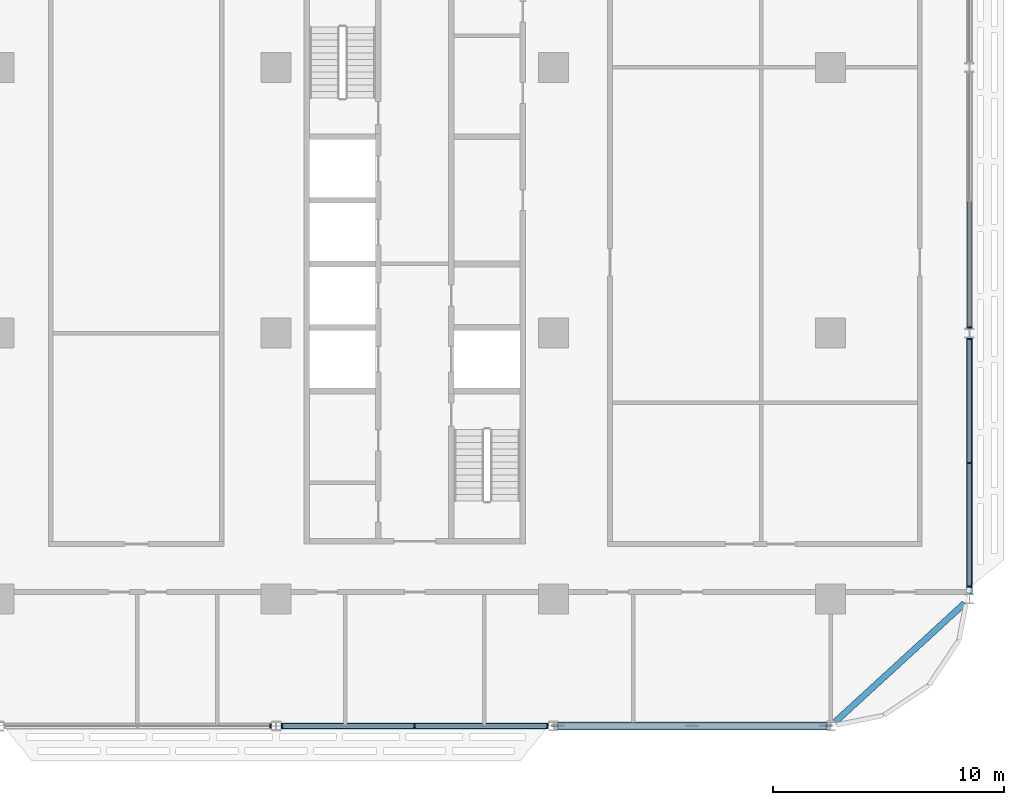
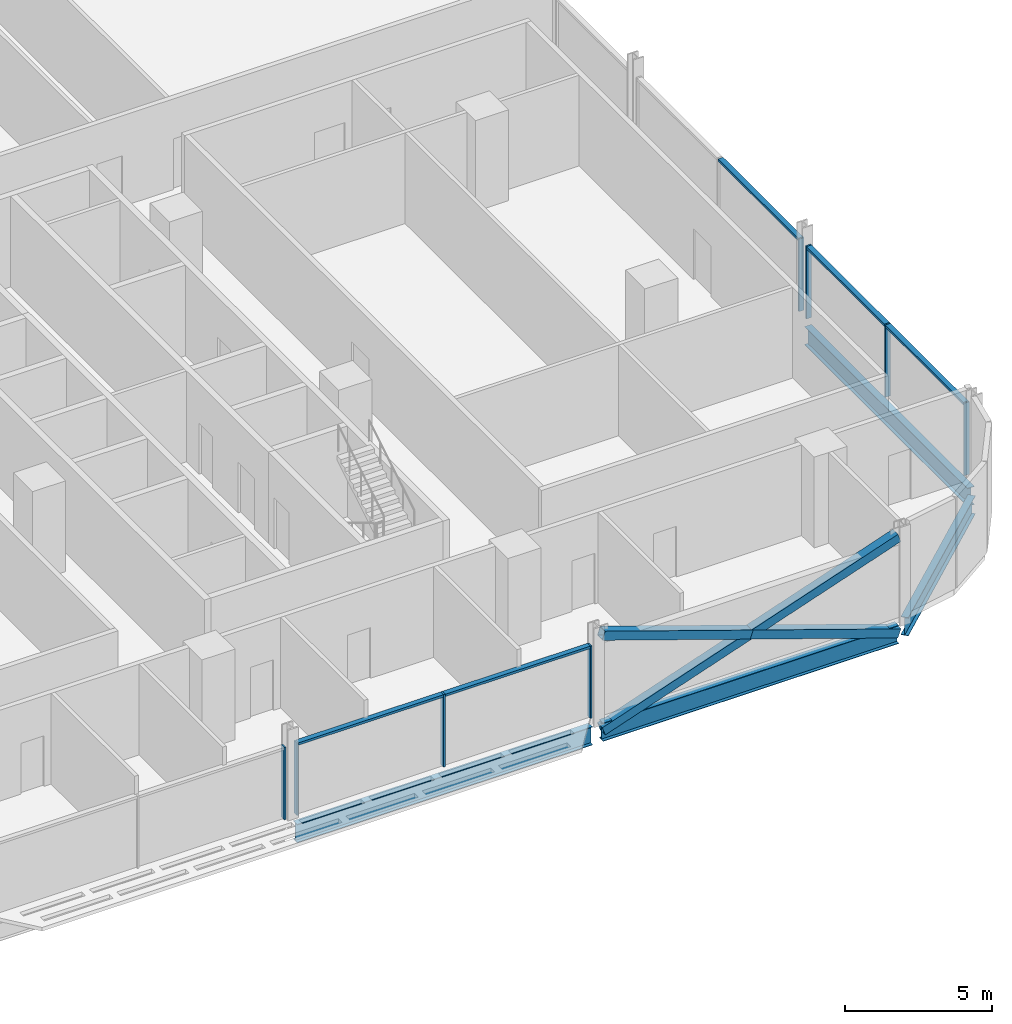
# One storey, part 8 of 29: 16 members, 4 beams, 4 elements without a shape of their own.
"""IFC4 building model written with IfcOpenShell, lengths in metres."""

import ifcopenshell
import ifcopenshell.guid

model = None  # the IFC model being written
_history = None  # IfcOwnerHistory: only IFC2X3 demands one
_inside = {}  # id of a spatial element -> (the spatial element, [elements in it])
_under = {}  # id of a project, library or spatial element -> (it, [spatial elements below it])
_declared = {}  # id of a project -> (the project, [libraries it declares])
_typed = {}  # id of a type object -> (the type object, [elements of that type])
_made_of = {}  # id of a material, layer set ... -> (it, [elements and type objects made of it])


def new_model(schema):
    """Start an empty IFC model of exactly this schema.

    Asked for "IFC4X3", IfcOpenShell would pick the latest addendum, in which some entities
    have other attributes; the version numbers below select the first issue.
    IFC2X3 requires an IfcOwnerHistory on every rooted entity: one is made here for all.
    """
    global model, _history
    if schema == "IFC4X3":
        model = ifcopenshell.file(schema_version=(4, 3, 0, 0))
    else:
        model = ifcopenshell.file(schema=schema)
    _inside.clear()
    _under.clear()
    _declared.clear()
    _typed.clear()
    _made_of.clear()
    _history = None
    if model.schema == "IFC2X3":
        org = make("IfcOrganization", Name="unknown")
        user = make(
            "IfcPersonAndOrganization",
            ThePerson=make("IfcPerson", FamilyName="unknown"),
            TheOrganization=org,
        )
        app = make(
            "IfcApplication",
            ApplicationDeveloper=org,
            Version="unknown",
            ApplicationFullName="unknown",
            ApplicationIdentifier="unknown",
        )
        _history = make(
            "IfcOwnerHistory",
            OwningUser=user,
            OwningApplication=app,
            ChangeAction="ADDED",
            CreationDate=0,
        )
    return model


def make(cls, **values):
    """One entity of the class cls with the attributes given. An attribute that is None is left unset."""
    return model.create_entity(
        cls, **{name: value for name, value in values.items() if value is not None}
    )


def rooted(cls, **values):
    """An entity with a GlobalId (a new one), such as an element, a storey or a relation."""
    return make(cls, GlobalId=ifcopenshell.guid.new(), OwnerHistory=_history, **values)


def si_unit(unit_type, name, prefix=None):
    """IfcSIUnit, for example si_unit("LENGTHUNIT", "METRE", prefix="MILLI")."""
    return make("IfcSIUnit", UnitType=unit_type, Prefix=prefix, Name=name)


def assignment(units):
    """IfcUnitAssignment: the units of a project."""
    return None if units is None else make("IfcUnitAssignment", Units=units)


def point(xyz):
    """IfcCartesianPoint."""
    return None if xyz is None else make("IfcCartesianPoint", Coordinates=xyz)


def direction(xyz):
    """IfcDirection."""
    return None if xyz is None else make("IfcDirection", DirectionRatios=xyz)


def frame(location, z_axis=None, x_axis=None):
    """IfcAxis2Placement3D, a coordinate frame: its origin and axes. An axis left out is left unset."""
    return make(
        "IfcAxis2Placement3D",
        Location=point(location),
        Axis=direction(z_axis),
        RefDirection=direction(x_axis),
    )


def frame_2d(location, x_axis=None):
    """IfcAxis2Placement2D, a coordinate frame in the plane: its origin and x axis."""
    return make(
        "IfcAxis2Placement2D", Location=point(location), RefDirection=direction(x_axis)
    )


def origin():
    """The frame at (0, 0, 0) with its axes left unset."""
    return frame((0.0, 0.0, 0.0))


def origin_2d():
    """The frame at (0, 0) in the plane with its x axis left unset."""
    return frame_2d((0.0, 0.0))


def place(relative_to, where):
    """IfcLocalPlacement: puts the frame where relative to a parent placement (None: the world)."""
    return make(
        "IfcLocalPlacement", PlacementRelTo=relative_to, RelativePlacement=where
    )


def context(
    kind, dimensions, precision=None, world=None, true_north=None, identifier=None
):
    """IfcGeometricRepresentationContext, for example the 3D "Model" context."""
    return make(
        "IfcGeometricRepresentationContext",
        ContextIdentifier=identifier,
        ContextType=kind,
        CoordinateSpaceDimension=dimensions,
        Precision=precision,
        WorldCoordinateSystem=world,
        TrueNorth=true_north,
    )


def subcontext(parent, identifier, kind, view, scale=None):
    """IfcGeometricRepresentationSubContext, for example "Body" below "Model"."""
    return make(
        "IfcGeometricRepresentationSubContext",
        ContextIdentifier=identifier,
        ContextType=kind,
        ParentContext=parent,
        TargetScale=scale,
        TargetView=view,
    )


def project(units=None, contexts=None):
    """IfcProject with its units and contexts."""
    return rooted(
        "IfcProject",
        Name="project",
        RepresentationContexts=contexts,
        UnitsInContext=assignment(units),
    )


def spatial(cls, under=None, at=None, **own):
    """A site, building, storey or space (cls), placed at a placement, below another one or the project."""
    s = rooted(cls, ObjectPlacement=at, **own)
    if under is not None:
        _under.setdefault(under.id(), (under, []))[1].append(s)
    return s


def profile(cls, at=None, kind="AREA", **sizes):
    """A parametric profile (cls). Its sizes go by their IFC names, for example OverallWidth=200.0."""
    return make(cls, ProfileType=kind, Position=at, **sizes)


def rectangle(**sizes):
    """IfcRectangleProfileDef."""
    return profile("IfcRectangleProfileDef", **sizes)


def hollow_rectangle(**sizes):
    """IfcRectangleHollowProfileDef."""
    return profile("IfcRectangleHollowProfileDef", **sizes)


def i_section(**sizes):
    """IfcIShapeProfileDef."""
    return profile("IfcIShapeProfileDef", **sizes)


def extrude(swept, where, along, depth):
    """IfcExtrudedAreaSolid: the profile swept, set in the frame where, extruded along a direction by depth."""
    return make(
        "IfcExtrudedAreaSolid",
        SweptArea=swept,
        Position=where,
        ExtrudedDirection=direction(along),
        Depth=depth,
    )


def shape(context_of_items, identifier, shape_type, items):
    """IfcShapeRepresentation: the items that make up one representation, for example the "Body"."""
    return make(
        "IfcShapeRepresentation",
        ContextOfItems=context_of_items,
        RepresentationIdentifier=identifier,
        RepresentationType=shape_type,
        Items=items,
    )


def material(Name=None, Category=None):
    """IfcMaterial."""
    return make("IfcMaterial", Name=Name, Category=Category)


def material_profile(
    of_material, cross_section, Name=None, Category=None, Priority=None
):
    """IfcMaterialProfile: a cross section and its material."""
    return make(
        "IfcMaterialProfile",
        Name=Name,
        Material=of_material,
        Profile=cross_section,
        Priority=Priority,
        Category=Category,
    )


def profile_set(profiles, Name=None, composite=None):
    """IfcMaterialProfileSet."""
    return make(
        "IfcMaterialProfileSet",
        Name=Name,
        MaterialProfiles=profiles,
        CompositeProfile=composite,
    )


def made_of(thing, what):
    """Note that an element or type object is made of a material, layer set ...; save() writes the relation."""
    if what is not None:
        _made_of.setdefault(what.id(), (what, []))[1].append(thing)
    return thing


def type_object(cls, material=None, **own):
    """A type object (cls), such as IfcWallType, which elements share."""
    return made_of(rooted(cls, **own), material)


def element(
    cls,
    number,
    at=None,
    inside=None,
    cuts=None,
    type_object=None,
    material=None,
    context=None,
    identifier="Body",
    shape_type=None,
    held_by="IfcProductDefinitionShape",
    body=None,
    shapes=None,
    **own,
):
    """One element of the class cls, such as IfcWall. Its Tag is "e" and its number.

    at: its placement. inside: the storey or other place that contains it. cuts: it is an
    opening in that element (IfcRelVoidsElement). A single representation is given by context,
    identifier, shape_type and body (its items); several are given by shapes. held_by: the class
    of the entity that holds the representations. save() writes the other relations.
    """
    e = rooted(cls, Tag="e%d" % number, ObjectPlacement=at, **own)
    if body is not None:
        shapes = [shape(context, identifier, shape_type, body)]
    if shapes is not None:
        e.Representation = make(held_by, Representations=shapes)
    if inside is not None:
        _inside.setdefault(inside.id(), (inside, []))[1].append(e)
    if cuts is not None:
        rooted(
            "IfcRelVoidsElement", RelatingBuildingElement=cuts, RelatedOpeningElement=e
        )
    if type_object is not None:
        _typed.setdefault(type_object.id(), (type_object, []))[1].append(e)
    return made_of(e, material)


def aggregate(whole, parts):
    """IfcRelAggregates: a whole, such as a stair, and the parts it consists of."""
    return rooted("IfcRelAggregates", RelatingObject=whole, RelatedObjects=parts)


def save(model, path):
    """Write the relations noted so far, then the file.

    IfcRelAggregates (storeys below a building ...), IfcRelContainedInSpatialStructure (elements
    in a storey), IfcRelDefinesByType, IfcRelAssociatesMaterial and IfcRelDeclares: one each for
    every whole, place, type object, material and project.
    """
    for whole, parts in _under.values():
        aggregate(whole, parts)
    for where, things in _inside.values():
        rooted(
            "IfcRelContainedInSpatialStructure",
            RelatedElements=things,
            RelatingStructure=where,
        )
    for kind, things in _typed.values():
        rooted("IfcRelDefinesByType", RelatedObjects=things, RelatingType=kind)
    for what, things in _made_of.values():
        rooted("IfcRelAssociatesMaterial", RelatedObjects=things, RelatingMaterial=what)
    for by, libraries in _declared.values():
        rooted("IfcRelDeclares", RelatingContext=by, RelatedDefinitions=libraries)
    model.write(path)


model = new_model("IFC4")

# Units and contexts
model_context = context("Model", 3, precision=1e-05, world=origin(), true_north=direction((0.0, 1.0)))
body_context = subcontext(model_context, "Body", "Model", "MODEL_VIEW")
ifc_project = project(units=[si_unit("LENGTHUNIT", "METRE"), si_unit("AREAUNIT", "SQUARE_METRE"), si_unit("VOLUMEUNIT", "CUBIC_METRE"), si_unit("PLANEANGLEUNIT", "RADIAN"), si_unit("MASSUNIT", "GRAM", prefix="KILO")], contexts=[model_context])

# Site, building, storey
site_placement = place(None, origin())
site = spatial("IfcSite", under=ifc_project, at=site_placement, CompositionType="ELEMENT")
building_placement = place(site_placement, origin())
building = spatial("IfcBuilding", under=site, at=building_placement, Name="Mahtab Terrace Research Tower", CompositionType="ELEMENT")
storey_placement = place(building_placement, frame((0.0, 0.0, 146.60009765625)))
storey = spatial("IfcBuildingStorey", under=building, at=storey_placement, Name="L34", CompositionType="ELEMENT", Elevation=146.60009765625)

# Members
ifc_material_1 = material(Name="Steel ASTM A500 Gr C", Category="steel")
ifc_material_profile_1 = material_profile(ifc_material_1, hollow_rectangle(XDim=0.355712890625, YDim=0.355712890625, WallThickness=0.01904296875, at=origin_2d()), Name="HSS14X14X3/4")
ifc_profile_set_1 = profile_set([ifc_material_profile_1], Name="Steel ASTM A500 Gr C")
member_type_1 = type_object("IfcMemberType", Name="HSS 14x14x3/4 brace XB141434", PredefinedType="BRACE", material=ifc_profile_set_1)
member_1_placement = place(storey_placement, frame((30.205810546875, -17.0, -0.648193359375), z_axis=(0.946294377485, 0.0, 0.323306280699), x_axis=(0.0, 1.0, 0.0)))
element("IfcMember", 1, at=member_1_placement, inside=storey, type_object=member_type_1, Name="Exoskeleton brace L34 20 a", PredefinedType="BRACE", context=body_context, shape_type="SweptSolid", body=[
    extrude(hollow_rectangle(XDim=0.355712890625, YDim=0.355712890625, WallThickness=0.01904296875, at=origin_2d()), origin(), (0.0, 0.0, 1.0), 12.24609375),
])
for number, where, z_axis, x_axis, name in (
    (2, (41.794189453125, -17.0, -0.648193359375), (-0.946288278, 0.0, 0.323324132908), (0.0, -1.0, 0.0), "Exoskeleton brace L34 20 b1"),
    (3, (36.0, -17.0, 1.33154296875), (-0.946300476713, 0.0, 0.323288428146), (0.0, -1.0, 0.0), "Exoskeleton brace L34 20 b2"),
):
    element("IfcMember", number, at=place(storey_placement, frame(where, z_axis=z_axis, x_axis=x_axis)), inside=storey, type_object=member_type_1, Name=name, PredefinedType="BRACE", context=body_context, shape_type="SweptSolid", body=[
        extrude(hollow_rectangle(XDim=0.355712890625, YDim=0.355712890625, WallThickness=0.01904296875, at=origin_2d()), origin(), (0.0, 0.0, 1.0), 6.123046875),
    ])

# Curtain wall, member
ifc_material_2 = material(Name="Laboratory ribbon curtain wall")
curtain_wall_type = type_object("IfcCurtainWallType", Name="Laboratory ribbon curtain wall", PredefinedType="NOTDEFINED", material=ifc_material_2)
curtain_wall_1_placement = place(storey_placement, origin())
curtain_wall_1 = element("IfcCurtainWall", 4, at=curtain_wall_1_placement, inside=storey, type_object=curtain_wall_type, Name="EN.L34.13.28", PredefinedType="NOTDEFINED")
ifc_material_3 = material(Name="Natural anodised aluminium", Category="aluminium")
ifc_material_profile_2 = material_profile(ifc_material_3, rectangle(XDim=0.199951171875, YDim=0.06494140625, at=origin_2d()), Name="MULLION 65x200")
ifc_profile_set_2 = profile_set([ifc_material_profile_2], Name="Natural anodised aluminium")
member_type_2 = type_object("IfcMemberType", Name="Laboratory ribbon curtain wall mullion", PredefinedType="MULLION", material=ifc_profile_set_2)
member_2_placement = place(storey_placement, frame((17.74951171875, -17.0, 0.0), z_axis=(0.0, 0.0, 1.0), x_axis=(0.0, 1.0, 0.0)))
member_2 = element("IfcMember", 5, at=member_2_placement, type_object=member_type_2, Name="CWL-4 mullion 3", PredefinedType="MULLION", context=body_context, shape_type="SweptSolid", body=[
    extrude(rectangle(XDim=0.199951171875, YDim=0.06494140625, at=origin_2d()), origin(), (0.0, 0.0, 1.0), 3.0029296875),
])
aggregate(curtain_wall_1, [member_2])

# Curtain wall, members
curtain_wall_2_placement = place(storey_placement, origin())
curtain_wall_2 = element("IfcCurtainWall", 6, at=curtain_wall_2_placement, inside=storey, type_object=curtain_wall_type, Name="EN.L34.13.29", PredefinedType="NOTDEFINED")
member_3_placement = place(storey_placement, frame((18.25048828125, -17.0, 0.0), z_axis=(0.0, 0.0, 1.0), x_axis=(0.0, 1.0, 0.0)))
member_3 = element("IfcMember", 7, at=member_3_placement, type_object=member_type_2, Name="CWL-4 mullion 1", PredefinedType="MULLION", context=body_context, shape_type="SweptSolid", body=[
    extrude(rectangle(XDim=0.199951171875, YDim=0.06494140625, at=origin_2d()), origin(), (0.0, 0.0, 1.0), 3.0029296875),
])
member_4_placement = place(storey_placement, frame((24.0, -17.0, 0.0), z_axis=(0.0, 0.0, 1.0), x_axis=(0.0, 1.0, 0.0)))
member_4 = element("IfcMember", 8, at=member_4_placement, type_object=member_type_2, Name="CWL-4 mullion 2", PredefinedType="MULLION", context=body_context, shape_type="SweptSolid", body=[
    extrude(rectangle(XDim=0.199951171875, YDim=0.06494140625, at=origin_2d()), origin(), (0.0, 0.0, 1.0), 3.0029296875),
])
member_5_placement = place(storey_placement, frame((29.74951171875, -17.0, 0.0), z_axis=(0.0, 0.0, 1.0), x_axis=(0.0, 1.0, 0.0)))
member_5 = element("IfcMember", 9, at=member_5_placement, type_object=member_type_2, Name="CWL-4 mullion 3", PredefinedType="MULLION", context=body_context, shape_type="SweptSolid", body=[
    extrude(rectangle(XDim=0.199951171875, YDim=0.06494140625, at=origin_2d()), origin(), (0.0, 0.0, 1.0), 3.0029296875),
])

curtain_wall_3_placement = place(storey_placement, origin())
curtain_wall_3 = element("IfcCurtainWall", 10, at=curtain_wall_3_placement, inside=storey, type_object=curtain_wall_type, Name="EN.L34.18.36", PredefinedType="NOTDEFINED")
member_6_placement = place(storey_placement, frame((48.0, -10.967529296875, 0.0), z_axis=(0.0, 0.0, 1.0), x_axis=(-1.0, 0.0, 0.0)))
member_6 = element("IfcMember", 11, at=member_6_placement, type_object=member_type_2, Name="CWL-4 mullion 1", PredefinedType="MULLION", context=body_context, shape_type="SweptSolid", body=[
    extrude(rectangle(XDim=0.199951171875, YDim=0.06494140625, at=origin_2d()), origin(), (0.0, 0.0, 1.0), 3.0029296875),
])
member_7_placement = place(storey_placement, frame((48.0, -5.60888671875, 0.0), z_axis=(0.0, 0.0, 1.0), x_axis=(-1.0, 0.0, 0.0)))
member_7 = element("IfcMember", 12, at=member_7_placement, type_object=member_type_2, Name="CWL-4 mullion 2", PredefinedType="MULLION", context=body_context, shape_type="SweptSolid", body=[
    extrude(rectangle(XDim=0.199951171875, YDim=0.06494140625, at=origin_2d()), origin(), (0.0, 0.0, 1.0), 3.0029296875),
])
member_8_placement = place(storey_placement, frame((48.0, -0.25048828125, 0.0), z_axis=(0.0, 0.0, 1.0), x_axis=(-1.0, 0.0, 0.0)))
member_8 = element("IfcMember", 13, at=member_8_placement, type_object=member_type_2, Name="CWL-4 mullion 3", PredefinedType="MULLION", context=body_context, shape_type="SweptSolid", body=[
    extrude(rectangle(XDim=0.199951171875, YDim=0.06494140625, at=origin_2d()), origin(), (0.0, 0.0, 1.0), 3.0029296875),
])

# Curtain wall, member
curtain_wall_4_placement = place(storey_placement, origin())
curtain_wall_4 = element("IfcCurtainWall", 14, at=curtain_wall_4_placement, inside=storey, type_object=curtain_wall_type, Name="EN.L34.18.37", PredefinedType="NOTDEFINED")
member_9_placement = place(storey_placement, frame((48.0, 0.25048828125, 0.0), z_axis=(0.0, 0.0, 1.0), x_axis=(-1.0, 0.0, 0.0)))
member_9 = element("IfcMember", 15, at=member_9_placement, type_object=member_type_2, Name="CWL-4 mullion 1", PredefinedType="MULLION", context=body_context, shape_type="SweptSolid", body=[
    extrude(rectangle(XDim=0.199951171875, YDim=0.06494140625, at=origin_2d()), origin(), (0.0, 0.0, 1.0), 3.0029296875),
])

# Member
ifc_material_profile_3 = material_profile(ifc_material_3, rectangle(XDim=0.199951171875, YDim=0.10009765625, at=origin_2d()), Name="TRANSOM 100x200")
ifc_profile_set_3 = profile_set([ifc_material_profile_3], Name="Natural anodised aluminium")
member_type_3 = type_object("IfcMemberType", Name="Laboratory ribbon curtain wall transom", PredefinedType="USERDEFINED", material=ifc_profile_set_3)
member_10_placement = place(storey_placement, frame((18.282958984375, -17.0, 2.952880859375), z_axis=(1.0, 0.0, 0.0), x_axis=(0.0, 1.0, 0.0)))
member_10 = element("IfcMember", 16, at=member_10_placement, type_object=member_type_3, Name="CWL-4 transom 1", ObjectType="TRANSOM", PredefinedType="USERDEFINED", context=body_context, shape_type="SweptSolid", body=[
    extrude(rectangle(XDim=0.199951171875, YDim=0.10009765625, at=origin_2d()), origin(), (0.0, 0.0, 1.0), 5.6845703125),
])

member_11_placement = place(storey_placement, frame((24.032470703125, -17.0, 2.952880859375), z_axis=(1.0, 0.0, 0.0), x_axis=(0.0, 1.0, 0.0)))
member_11 = element("IfcMember", 17, at=member_11_placement, type_object=member_type_3, Name="CWL-4 transom 2", ObjectType="TRANSOM", PredefinedType="USERDEFINED", context=body_context, shape_type="SweptSolid", body=[
    extrude(rectangle(XDim=0.199951171875, YDim=0.10009765625, at=origin_2d()), origin(), (0.0, 0.0, 1.0), 5.6845703125),
])

aggregate(curtain_wall_2, [member_3, member_4, member_5, member_10, member_11])

member_12_placement = place(storey_placement, frame((48.0, -10.93505859375, 2.952880859375), z_axis=(0.0, 1.0, 0.0), x_axis=(-1.0, 0.0, 0.0)))
member_12 = element("IfcMember", 18, at=member_12_placement, type_object=member_type_3, Name="CWL-4 transom 1", ObjectType="TRANSOM", PredefinedType="USERDEFINED", context=body_context, shape_type="SweptSolid", body=[
    extrude(rectangle(XDim=0.199951171875, YDim=0.10009765625, at=origin_2d()), origin(), (0.0, 0.0, 1.0), 5.29345703125),
])

member_13_placement = place(storey_placement, frame((48.0, -5.576416015625, 2.952880859375), z_axis=(0.0, 1.0, 0.0), x_axis=(-1.0, 0.0, 0.0)))
member_13 = element("IfcMember", 19, at=member_13_placement, type_object=member_type_3, Name="CWL-4 transom 2", ObjectType="TRANSOM", PredefinedType="USERDEFINED", context=body_context, shape_type="SweptSolid", body=[
    extrude(rectangle(XDim=0.199951171875, YDim=0.10009765625, at=origin_2d()), origin(), (0.0, 0.0, 1.0), 5.29345703125),
])

aggregate(curtain_wall_3, [member_6, member_7, member_8, member_12, member_13])

member_14_placement = place(storey_placement, frame((48.0, 0.282958984375, 2.952880859375), z_axis=(0.0, 1.0, 0.0), x_axis=(-1.0, 0.0, 0.0)))
member_14 = element("IfcMember", 20, at=member_14_placement, type_object=member_type_3, Name="CWL-4 transom 1", ObjectType="TRANSOM", PredefinedType="USERDEFINED", context=body_context, shape_type="SweptSolid", body=[
    extrude(rectangle(XDim=0.199951171875, YDim=0.10009765625, at=origin_2d()), origin(), (0.0, 0.0, 1.0), 5.4345703125),
])

aggregate(curtain_wall_4, [member_9, member_14])

# Beams
ifc_material_4 = material(Name="Steel ASTM A992 Gr 50", Category="steel")
ifc_material_profile_4 = material_profile(ifc_material_4, i_section(OverallWidth=0.2666015625, OverallDepth=0.7568359375, WebThickness=0.013916015625, FlangeThickness=0.019287109375, at=origin_2d()), Name="W30X108")
ifc_profile_set_4 = profile_set([ifc_material_profile_4], Name="Steel ASTM A992 Gr 50")
beam_type = type_object("IfcBeamType", Name="W30x108 beam BS30108", PredefinedType="BEAM", material=ifc_profile_set_4)
for number, where, z_axis, x_axis, name in (
    (21, (18.205810546875, -17.0, -0.718505859375), (1.0, 0.0, 0.0), (0.0, 1.0, 0.0), "Spandrel beam L34 19"),
    (22, (30.205810546875, -17.0, -0.718505859375), (1.0, 0.0, 0.0), (0.0, 1.0, 0.0), "Spandrel beam L34 20"),
):
    element("IfcBeam", number, at=place(storey_placement, frame(where, z_axis=z_axis, x_axis=x_axis)), inside=storey, type_object=beam_type, Name=name, PredefinedType="BEAM", context=body_context, shape_type="SweptSolid", body=[
        extrude(i_section(OverallWidth=0.2666015625, OverallDepth=0.7568359375, WebThickness=0.013916015625, FlangeThickness=0.019287109375, at=origin_2d()), origin(), (0.0, 0.0, 1.0), 11.58837890625),
    ])
beam_1_placement = place(storey_placement, frame((42.205810546875, -16.811279296875, -0.718505859375), z_axis=(0.737162160905, 0.675715878554, 0.0), x_axis=(-0.675715878554, 0.737162160905, 0.0)))
element("IfcBeam", 23, at=beam_1_placement, inside=storey, type_object=beam_type, Name="Spandrel beam L34 21", PredefinedType="BEAM", context=body_context, shape_type="SweptSolid", body=[
    extrude(i_section(OverallWidth=0.2666015625, OverallDepth=0.7568359375, WebThickness=0.013916015625, FlangeThickness=0.019287109375, at=origin_2d()), origin(), (0.0, 0.0, 1.0), 7.5810546875),
])
beam_2_placement = place(storey_placement, frame((48.0, -11.282958984375, -0.718505859375), z_axis=(0.0, 1.0, 0.0), x_axis=(-1.0, 0.0, 0.0)))
element("IfcBeam", 24, at=beam_2_placement, inside=storey, type_object=beam_type, Name="Spandrel beam L34 22", PredefinedType="BEAM", context=body_context, shape_type="SweptSolid", body=[
    extrude(i_section(OverallWidth=0.2666015625, OverallDepth=0.7568359375, WebThickness=0.013916015625, FlangeThickness=0.019287109375, at=origin_2d()), origin(), (0.0, 0.0, 1.0), 11.06591796875),
])

save(model, "model.ifc")
